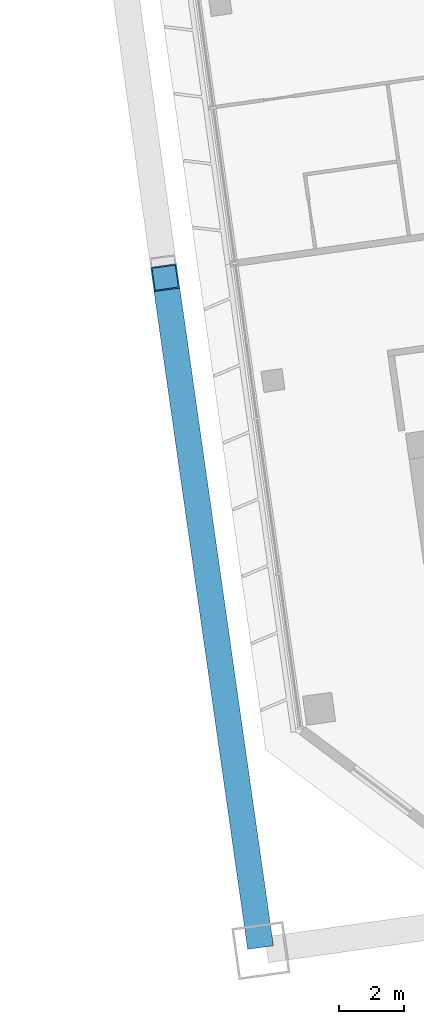
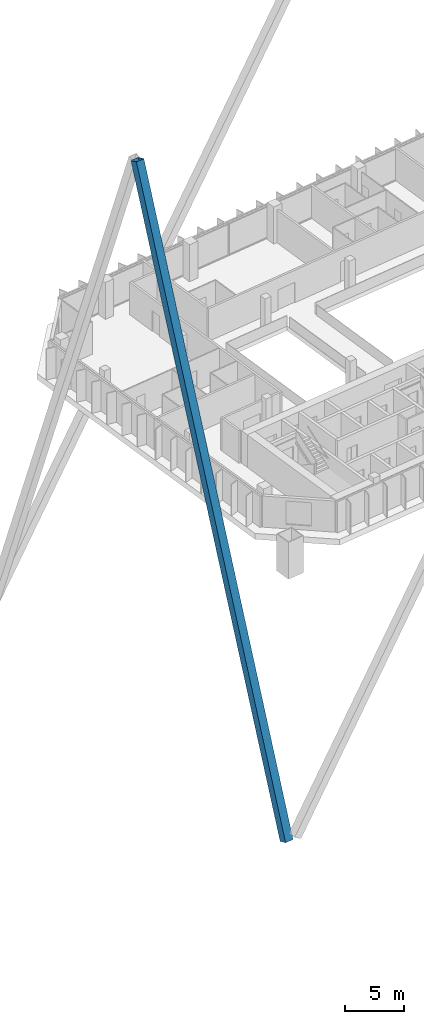
# One storey, part 16 of 41: 1 member.
"""IFC4 building model written with IfcOpenShell, lengths in metres."""

from ifc_helpers import new_model, si_unit, direction, frame, origin, origin_2d, place, context, subcontext, project, spatial, hollow_rectangle, extrude, material, material_profile, profile_set, type_object, element, save


model = new_model("IFC4")

# Units and contexts
model_context = context("Model", 3, precision=1e-05, world=origin(), true_north=direction((0.0, 1.0)))
body_context = subcontext(model_context, "Body", "Model", "MODEL_VIEW")
ifc_project = project(units=[si_unit("LENGTHUNIT", "METRE"), si_unit("AREAUNIT", "SQUARE_METRE"), si_unit("VOLUMEUNIT", "CUBIC_METRE"), si_unit("PLANEANGLEUNIT", "RADIAN"), si_unit("MASSUNIT", "GRAM", prefix="KILO")], contexts=[model_context])

# Site, building, storey
site_placement = place(None, origin())
site = spatial("IfcSite", under=ifc_project, at=site_placement, CompositionType="ELEMENT")
building_placement = place(site_placement, origin())
building = spatial("IfcBuilding", under=site, at=building_placement, Name="Mirante Cascada Hotel Towers", CompositionType="ELEMENT")
storey_placement = place(building_placement, frame((0.0, 0.0, 125.3)))
storey = spatial("IfcBuildingStorey", under=building, at=storey_placement, Name="L28", CompositionType="ELEMENT", Elevation=125.3)

# Member
ifc_material = material(Name="Steel ASTM A572 Gr 50", Category="steel")
ifc_material_profile = material_profile(ifc_material, hollow_rectangle(XDim=0.8, YDim=0.8, WallThickness=0.04, at=origin_2d()), Name="Box brace 800x800x40 ASTM A572 Gr 50")
ifc_profile_set = profile_set([ifc_material_profile], Name="Steel ASTM A572 Gr 50")
member_type = type_object("IfcMemberType", Name="Box brace 800x800x40 ASTM A572 Gr 50", PredefinedType="BRACE", material=ifc_profile_set)
member_placement = place(storey_placement, frame((30.8764, -22.6065, -27.9164), z_axis=(-0.0461363, 0.3241566, 0.9448777), x_axis=(-0.9900228, -0.140907, 0.0)))
element("IfcMember", 1, at=member_placement, inside=storey, type_object=member_type, Name="brace T2 L28 5", PredefinedType="BRACE", context=body_context, shape_type="SweptSolid", body=[
    extrude(hollow_rectangle(XDim=0.8, YDim=0.8, WallThickness=0.04, at=origin_2d()), origin(), (0.0, 0.0, 1.0), 62.2677),
])

save(model, "model.ifc")
